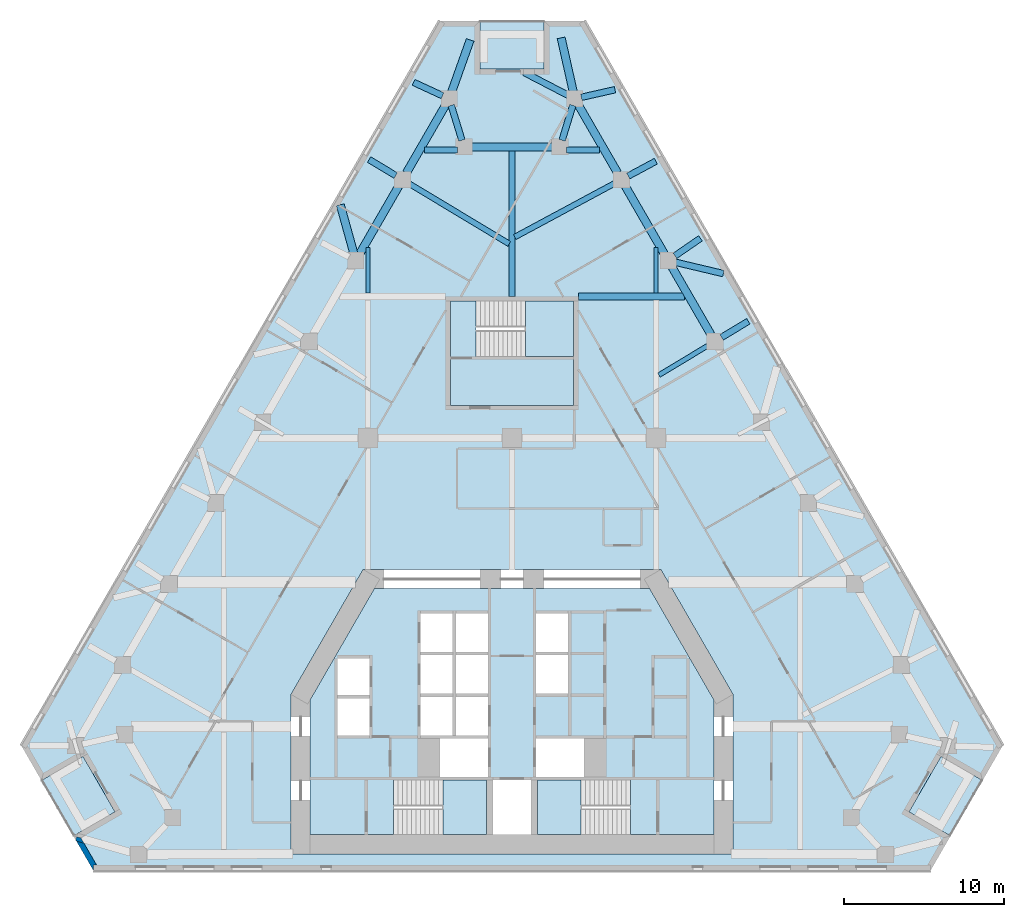
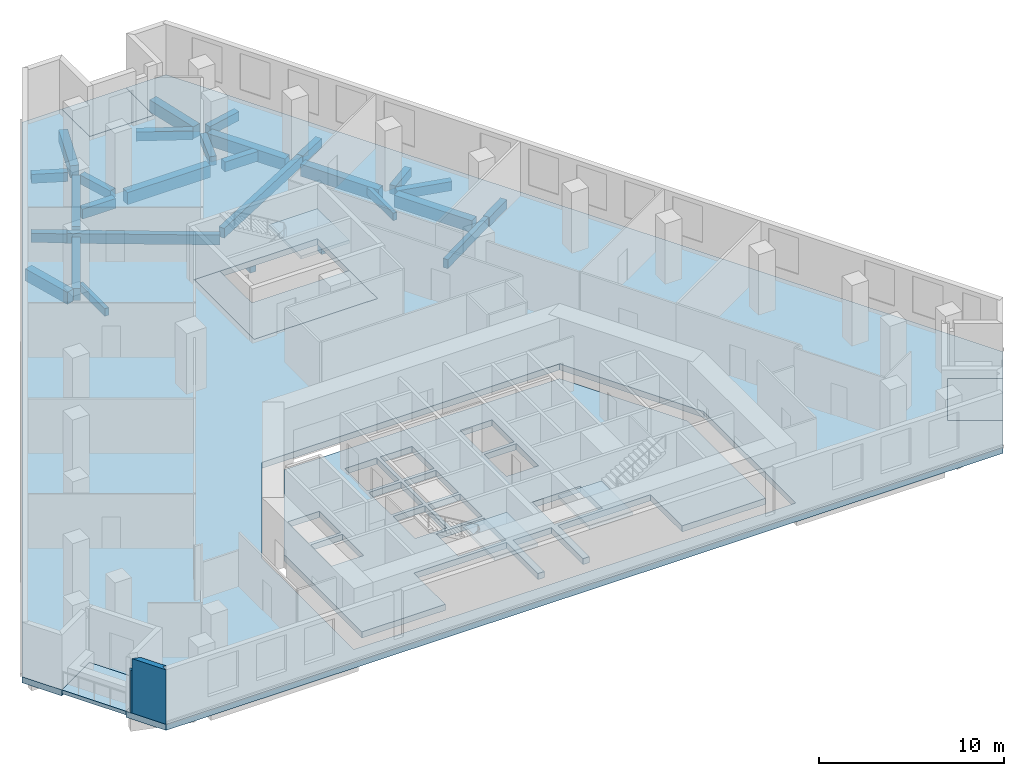
# One storey, part 2 of 9: 28 beams, 9 slabs, 2 walls, 3 elements without a shape of their own.
"""IFC4 building model written with IfcOpenShell, lengths in metres."""

from ifc_helpers import new_model, si_unit, direction, frame, origin, origin_2d, place, context, subcontext, project, spatial, polyline, rectangle, outline, extrude, material, layer, layer_set, material_profile, profile_set, type_object, element, aggregate, save


model = new_model("IFC4")

# Units and contexts
model_context = context("Model", 3, precision=1e-05, world=origin(), true_north=direction((0.0, 1.0)))
body_context = subcontext(model_context, "Body", "Model", "MODEL_VIEW")
ifc_project = project(units=[si_unit("LENGTHUNIT", "METRE"), si_unit("AREAUNIT", "SQUARE_METRE"), si_unit("VOLUMEUNIT", "CUBIC_METRE"), si_unit("PLANEANGLEUNIT", "RADIAN"), si_unit("MASSUNIT", "GRAM", prefix="KILO")], contexts=[model_context])

# Site, building, storey
site_placement = place(None, origin())
site = spatial("IfcSite", under=ifc_project, at=site_placement, CompositionType="ELEMENT")
building_placement = place(site_placement, origin())
building = spatial("IfcBuilding", under=site, at=building_placement, Name="Fogline Exchange Tower", CompositionType="ELEMENT")
storey_placement = place(building_placement, frame((0.0, 0.0, 96.10009765625)))
storey = spatial("IfcBuildingStorey", under=building, at=storey_placement, Name="L20", CompositionType="ELEMENT", Elevation=96.10009765625)

# Beams
ifc_material_1 = material(Name="Concrete C40", Category="concrete")
ifc_material_profile_1 = material_profile(ifc_material_1, rectangle(XDim=0.300048828125, YDim=0.60009765625, at=origin_2d()), Name="RC 300x600")
ifc_profile_set_1 = profile_set([ifc_material_profile_1], Name="Concrete C40")
beam_type_1 = type_object("IfcBeamType", Name="B06", PredefinedType="BEAM", material=ifc_profile_set_1)
beam_1_placement = place(storey_placement, frame((13.195068359375, 33.3623046875, -0.7001953125), z_axis=(-0.856403380279, -0.516307321513, 0.0), x_axis=(0.516307321513, -0.856403380279, 0.0)))
element("IfcBeam", 1, at=beam_1_placement, inside=storey, type_object=beam_type_1, Name="SK018", PredefinedType="BEAM", context=body_context, shape_type="SweptSolid", body=[
    extrude(rectangle(XDim=0.300048828125, YDim=0.60009765625, at=origin_2d()), origin(), (0.0, 0.0, 1.0), 4.694091796875),
])
ifc_material_profile_2 = material_profile(ifc_material_1, rectangle(XDim=0.25, YDim=0.5, at=origin_2d()), Name="RC 250x500")
ifc_profile_set_2 = profile_set([ifc_material_profile_2], Name="Concrete C40")
beam_type_2 = type_object("IfcBeamType", Name="B08", PredefinedType="BEAM", material=ifc_profile_set_2)
for number, where, z_axis, x_axis, name in (
    (2, (-9.0, 36.08203125, -0.650146484375), (0.0, 1.0, 0.0), (-1.0, 0.0, 0.0), "SB006"),
    (3, (9.0, 36.08203125, -0.650146484375), (0.0, 1.0, 0.0), (-1.0, 0.0, 0.0), "SB011"),
):
    element("IfcBeam", number, at=place(storey_placement, frame(where, z_axis=z_axis, x_axis=x_axis)), inside=storey, type_object=beam_type_2, Name=name, PredefinedType="BEAM", context=body_context, shape_type="SweptSolid", body=[
        extrude(rectangle(XDim=0.25, YDim=0.5, at=origin_2d()), origin(), (0.0, 0.0, 1.0), 2.8203125),
    ])
ifc_material_profile_3 = material_profile(ifc_material_1, rectangle(XDim=0.5, YDim=0.800048828125, at=origin_2d()), Name="RC 500x800")
ifc_profile_set_3 = profile_set([ifc_material_profile_3], Name="Concrete C40")
beam_type_3 = type_object("IfcBeamType", Name="B10", PredefinedType="BEAM", material=ifc_profile_set_3)
beam_2_placement = place(storey_placement, frame((12.427001953125, 33.466796875, -0.800048828125), z_axis=(-0.500008041581, 0.866020760926, 0.0), x_axis=(-0.866020760926, -0.500008041581, 0.0)))
element("IfcBeam", 4, at=beam_2_placement, inside=storey, type_object=beam_type_3, Name="RB014", PredefinedType="BEAM", context=body_context, shape_type="SweptSolid", body=[
    extrude(rectangle(XDim=0.5, YDim=0.800048828125, at=origin_2d()), origin(), (0.0, 0.0, 1.0), 4.859375),
])
for number, where, z_axis, x_axis, name in (
    (5, (9.510986328125, 38.51708984375, -0.800048828125), (-0.499970359091, 0.866042516295, 0.0), (-0.866042516295, -0.499970359091, 0.0), "RB015"),
    (6, (6.59521484375, 43.5673828125, -0.800048828125), (-0.499970359091, 0.866042516295, 0.0), (-0.866042516295, -0.499970359091, 0.0), "RB016"),
):
    element("IfcBeam", number, at=place(storey_placement, frame(where, z_axis=z_axis, x_axis=x_axis)), inside=storey, type_object=beam_type_3, Name=name, PredefinedType="BEAM", context=body_context, shape_type="SweptSolid", body=[
        extrude(rectangle(XDim=0.5, YDim=0.800048828125, at=origin_2d()), origin(), (0.0, 0.0, 1.0), 4.859130859375),
    ])
beam_3_placement = place(storey_placement, frame((2.594970703125, 45.19677734375, -0.800048828125), z_axis=(-1.0, 0.0, 0.0), x_axis=(0.0, -1.0, 0.0)))
element("IfcBeam", 7, at=beam_3_placement, inside=storey, type_object=beam_type_3, Name="RB018", PredefinedType="BEAM", context=body_context, shape_type="SweptSolid", body=[
    extrude(rectangle(XDim=0.5, YDim=0.800048828125, at=origin_2d()), origin(), (0.0, 0.0, 1.0), 5.18994140625),
])
for number, where, z_axis, x_axis, name in (
    (8, (-4.165771484375, 47.775634765625, -0.800048828125), (-0.499970359091, -0.866042516295, 0.0), (0.866042516295, -0.499970359091, 0.0), "RB020"),
    (9, (-7.08154296875, 42.725341796875, -0.800048828125), (-0.499970359091, -0.866042516295, 0.0), (0.866042516295, -0.499970359091, 0.0), "RB021"),
):
    element("IfcBeam", number, at=place(storey_placement, frame(where, z_axis=z_axis, x_axis=x_axis)), inside=storey, type_object=beam_type_3, Name=name, PredefinedType="BEAM", context=body_context, shape_type="SweptSolid", body=[
        extrude(rectangle(XDim=0.5, YDim=0.800048828125, at=origin_2d()), origin(), (0.0, 0.0, 1.0), 4.859130859375),
    ])
beam_4_placement = place(storey_placement, frame((-3.77587890625, 48.608642578125, -0.800048828125), z_axis=(0.335684205637, 0.941974582505, 0.0), x_axis=(-0.941974582505, 0.335684205637, 0.0)))
element("IfcBeam", 10, at=beam_4_placement, inside=storey, type_object=beam_type_3, Name="SP028", PredefinedType="BEAM", context=body_context, shape_type="SweptSolid", body=[
    extrude(rectangle(XDim=0.5, YDim=0.800048828125, at=origin_2d()), origin(), (0.0, 0.0, 1.0), 3.462646484375),
])
beam_5_placement = place(storey_placement, frame((3.831298828125, 48.6044921875, -0.800048828125), z_axis=(-0.218823104655, 0.975764545815, 0.0), x_axis=(-0.975764545815, -0.218823104655, 0.0)))
element("IfcBeam", 11, at=beam_5_placement, inside=storey, type_object=beam_type_3, Name="SP029", PredefinedType="BEAM", context=body_context, shape_type="SweptSolid", body=[
    extrude(rectangle(XDim=0.5, YDim=0.800048828125, at=origin_2d()), origin(), (0.0, 0.0, 1.0), 3.482177734375),
])
beam_6_placement = place(storey_placement, frame((-9.8681640625, 38.50537109375, -0.800048828125), z_axis=(-0.267865092627, 0.963456429815, 0.0), x_axis=(-0.963456429815, -0.267865092627, 0.0)))
element("IfcBeam", 12, at=beam_6_placement, inside=storey, type_object=beam_type_3, Name="SP056", PredefinedType="BEAM", context=body_context, shape_type="SweptSolid", body=[
    extrude(rectangle(XDim=0.5, YDim=0.800048828125, at=origin_2d()), origin(), (0.0, 0.0, 1.0), 3.187255859375),
])
ifc_material_profile_4 = material_profile(ifc_material_1, rectangle(XDim=0.39990234375, YDim=0.60009765625, at=origin_2d()), Name="RC 400x600")
ifc_profile_set_4 = profile_set([ifc_material_profile_4], Name="Concrete C40")
beam_type_4 = type_object("IfcBeamType", Name="B11", PredefinedType="BEAM", material=ifc_profile_set_4)
for number, where, z_axis, x_axis, name in (
    (13, (3.79638671875, 47.786376953125, -0.7001953125), (-0.293912792425, -0.9558322397, 0.0), (0.9558322397, -0.293912792425, 0.0), "RB017"),
    (14, (-3.126220703125, 45.60693359375, -0.7001953125), (-0.293912792425, 0.9558322397, 0.0), (-0.9558322397, -0.293912792425, 0.0), "RB019"),
):
    element("IfcBeam", number, at=place(storey_placement, frame(where, z_axis=z_axis, x_axis=x_axis)), inside=storey, type_object=beam_type_4, Name=name, PredefinedType="BEAM", context=body_context, shape_type="SweptSolid", body=[
        extrude(rectangle(XDim=0.39990234375, YDim=0.60009765625, at=origin_2d()), origin(), (0.0, 0.0, 1.0), 2.2802734375),
    ])
beam_7_placement = place(storey_placement, frame((3.504150390625, 48.4140625, -0.7001953125), z_axis=(-0.887487365709, 0.460832047179, 0.0), x_axis=(-0.460832047179, -0.887487365709, 0.0)))
element("IfcBeam", 15, at=beam_7_placement, inside=storey, type_object=beam_type_4, Name="SP034", PredefinedType="BEAM", context=body_context, shape_type="SweptSolid", body=[
    extrude(rectangle(XDim=0.39990234375, YDim=0.60009765625, at=origin_2d()), origin(), (0.0, 0.0, 1.0), 3.0859375),
])
beam_8_placement = place(storey_placement, frame((-7.260498046875, 43.400390625, -0.7001953125), z_axis=(-0.856760264747, 0.515714890953, 0.0), x_axis=(-0.515714890953, -0.856760264747, 0.0)))
element("IfcBeam", 16, at=beam_8_placement, inside=storey, type_object=beam_type_4, Name="SP038", PredefinedType="BEAM", context=body_context, shape_type="SweptSolid", body=[
    extrude(rectangle(XDim=0.39990234375, YDim=0.60009765625, at=origin_2d()), origin(), (0.0, 0.0, 1.0), 1.94287109375),
])
beam_9_placement = place(storey_placement, frame((13.09228515625, 33.30029296875, -0.7001953125), z_axis=(0.85640422403, 0.516305921972, 0.0), x_axis=(-0.516305921972, 0.85640422403, 0.0)))
element("IfcBeam", 17, at=beam_9_placement, inside=storey, type_object=beam_type_4, Name="SP039", PredefinedType="BEAM", context=body_context, shape_type="SweptSolid", body=[
    extrude(rectangle(XDim=0.39990234375, YDim=0.60009765625, at=origin_2d()), origin(), (0.0, 0.0, 1.0), 1.942626953125),
])
beam_10_placement = place(storey_placement, frame((7.2578125, 43.371826171875, -0.7001953125), z_axis=(0.880782843366, 0.473520414377, 0.0), x_axis=(-0.473520414377, 0.880782843366, 0.0)))
element("IfcBeam", 18, at=beam_10_placement, inside=storey, type_object=beam_type_4, Name="SP040", PredefinedType="BEAM", context=body_context, shape_type="SweptSolid", body=[
    extrude(rectangle(XDim=0.39990234375, YDim=0.60009765625, at=origin_2d()), origin(), (0.0, 0.0, 1.0), 1.960205078125),
])
beam_11_placement = place(storey_placement, frame((10.180419921875, 38.389404296875, -0.7001953125), z_axis=(0.823553636513, 0.567238404718, 0.0), x_axis=(-0.567238404718, 0.823553636513, 0.0)))
element("IfcBeam", 19, at=beam_11_placement, inside=storey, type_object=beam_type_4, Name="SP048", PredefinedType="BEAM", context=body_context, shape_type="SweptSolid", body=[
    extrude(rectangle(XDim=0.39990234375, YDim=0.60009765625, at=origin_2d()), origin(), (0.0, 0.0, 1.0), 1.927001953125),
])
beam_12_placement = place(storey_placement, frame((-4.338623046875, 48.388671875, -0.7001953125), z_axis=(-0.908095838529, 0.418762400468, 0.0), x_axis=(-0.418762400468, -0.908095838529, 0.0)))
element("IfcBeam", 20, at=beam_12_placement, inside=storey, type_object=beam_type_4, Name="SP049", PredefinedType="BEAM", context=body_context, shape_type="SweptSolid", body=[
    extrude(rectangle(XDim=0.39990234375, YDim=0.60009765625, at=origin_2d()), origin(), (0.0, 0.0, 1.0), 1.9892578125),
])
beam_13_placement = place(storey_placement, frame((10.16259765625, 37.9990234375, -0.7001953125), z_axis=(0.9729539382, -0.230999208095, 0.0), x_axis=(0.230999208095, 0.9729539382, 0.0)))
element("IfcBeam", 21, at=beam_13_placement, inside=storey, type_object=beam_type_4, Name="SP054", PredefinedType="BEAM", context=body_context, shape_type="SweptSolid", body=[
    extrude(rectangle(XDim=0.39990234375, YDim=0.60009765625, at=origin_2d()), origin(), (0.0, 0.0, 1.0), 3.11669921875),
])
beam_14_placement = place(storey_placement, frame((4.33056640625, 48.288818359375, -0.7001953125), z_axis=(0.975402518888, 0.220431227704, 0.0), x_axis=(-0.220431227704, 0.975402518888, 0.0)))
element("IfcBeam", 22, at=beam_14_placement, inside=storey, type_object=beam_type_4, Name="SP060", PredefinedType="BEAM", context=body_context, shape_type="SweptSolid", body=[
    extrude(rectangle(XDim=0.39990234375, YDim=0.60009765625, at=origin_2d()), origin(), (0.0, 0.0, 1.0), 2.1552734375),
])
ifc_material_profile_5 = material_profile(ifc_material_1, rectangle(XDim=0.39990234375, YDim=0.64990234375, at=origin_2d()), Name="RC 400x650")
ifc_profile_set_5 = profile_set([ifc_material_profile_5], Name="Concrete C40")
beam_type_5 = type_object("IfcBeamType", Name="B13", PredefinedType="BEAM", material=ifc_profile_set_5)
for number, where, z_axis, x_axis, name in (
    (23, (-5.4794921875, 45.0, -0.72509765625), (1.0, 0.0, 0.0), (0.0, 1.0, 0.0), "GB011"),
    (24, (3.405029296875, 45.0, -0.72509765625), (1.0, 0.0, 0.0), (0.0, 1.0, 0.0), "GB012"),
):
    element("IfcBeam", number, at=place(storey_placement, frame(where, z_axis=z_axis, x_axis=x_axis)), inside=storey, type_object=beam_type_5, Name=name, PredefinedType="BEAM", context=body_context, shape_type="SweptSolid", body=[
        extrude(rectangle(XDim=0.39990234375, YDim=0.64990234375, at=origin_2d()), origin(), (0.0, 0.0, 1.0), 2.074462890625),
    ])
ifc_material_profile_6 = material_profile(ifc_material_1, rectangle(XDim=0.35009765625, YDim=0.64990234375, at=origin_2d()), Name="RC 350x650")
ifc_profile_set_6 = profile_set([ifc_material_profile_6], Name="Concrete C40")
beam_type_6 = type_object("IfcBeamType", Name="B16", PredefinedType="BEAM", material=ifc_profile_set_6)
beam_15_placement = place(storey_placement, frame((0.0, 35.85693359375, -0.72509765625), z_axis=(0.0, 1.0, 0.0), x_axis=(-1.0, 0.0, 0.0)))
element("IfcBeam", 25, at=beam_15_placement, inside=storey, type_object=beam_type_6, Name="SB008", PredefinedType="BEAM", context=body_context, shape_type="SweptSolid", body=[
    extrude(rectangle(XDim=0.35009765625, YDim=0.64990234375, at=origin_2d()), origin(), (0.0, 0.0, 1.0), 9.08984375),
])
beam_16_placement = place(storey_placement, frame((-7.36328125, 43.46240234375, -0.72509765625), z_axis=(0.85674487674, -0.515740454279, 0.0), x_axis=(0.515740454279, 0.85674487674, 0.0)))
element("IfcBeam", 26, at=beam_16_placement, inside=storey, type_object=beam_type_6, Name="SK017", PredefinedType="BEAM", context=body_context, shape_type="SweptSolid", body=[
    extrude(rectangle(XDim=0.35009765625, YDim=0.64990234375, at=origin_2d()), origin(), (0.0, 0.0, 1.0), 8.39013671875),
])
beam_17_placement = place(storey_placement, frame((7.36328125, 43.4287109375, -0.72509765625), z_axis=(-0.880757180515, -0.47356814607, 0.0), x_axis=(0.47356814607, -0.880757180515, 0.0)))
element("IfcBeam", 27, at=beam_17_placement, inside=storey, type_object=beam_type_6, Name="SK019", PredefinedType="BEAM", context=body_context, shape_type="SweptSolid", body=[
    extrude(rectangle(XDim=0.35009765625, YDim=0.64990234375, at=origin_2d()), origin(), (0.0, 0.0, 1.0), 8.161376953125),
])
ifc_material_profile_7 = material_profile(ifc_material_1, rectangle(XDim=0.449951171875, YDim=0.800048828125, at=origin_2d()), Name="RC 450x800")
ifc_profile_set_7 = profile_set([ifc_material_profile_7], Name="Concrete C40")
beam_type_7 = type_object("IfcBeamType", Name="B18", PredefinedType="BEAM", material=ifc_profile_set_7)
beam_18_placement = place(storey_placement, frame((4.14990234375, 35.85693359375, -0.800048828125), z_axis=(1.0, 0.0, 0.0), x_axis=(0.0, 1.0, 0.0)))
element("IfcBeam", 28, at=beam_18_placement, inside=storey, type_object=beam_type_7, Name="GB010", PredefinedType="BEAM", context=body_context, shape_type="SweptSolid", body=[
    extrude(rectangle(XDim=0.449951171875, YDim=0.800048828125, at=origin_2d()), origin(), (0.0, 0.0, 1.0), 6.6083984375),
])

# Slabs
ifc_layer_1 = layer(ifc_material_1, 0.25)
ifc_layer_set_1 = layer_set([ifc_layer_1], Name="DK1")
slab_type_1 = type_object("IfcSlabType", Name="DK1", PredefinedType="FLOOR", material=ifc_layer_set_1)
slab_1_placement = place(storey_placement, frame((0.0, 0.0, -0.25)))
element("IfcSlab", 29, at=slab_1_placement, inside=storey, type_object=slab_type_1, Name="Balcony L20 SW", PredefinedType="FLOOR", context=body_context, shape_type="SweptSolid", body=[
    extrude(outline(polyline([(-29.387939453125, 5.629150390625), (-27.387939453125, 2.1650390625), (-24.7900390625, 3.6650390625), (-26.7900390625, 7.129150390625), (-29.387939453125, 5.629150390625)])), origin(), (0.0, 0.0, 1.0), 0.25),
])
slab_2_placement = place(storey_placement, frame((0.0, 0.0, -0.25)))
element("IfcSlab", 30, at=slab_2_placement, inside=storey, type_object=slab_type_1, Name="Balcony L20 SE", PredefinedType="FLOOR", context=body_context, shape_type="SweptSolid", body=[
    extrude(outline(polyline([(27.387939453125, 2.1650390625), (29.387939453125, 5.629150390625), (26.7900390625, 7.129150390625), (24.7900390625, 3.6650390625), (27.387939453125, 2.1650390625)])), origin(), (0.0, 0.0, 1.0), 0.25),
])
slab_3_placement = place(storey_placement, frame((0.0, 0.0, -0.25)))
element("IfcSlab", 31, at=slab_3_placement, inside=storey, type_object=slab_type_1, Name="Balcony L20 N", PredefinedType="FLOOR", context=body_context, shape_type="SweptSolid", body=[
    extrude(outline(polyline([(2.0, 53.066650390625), (-2.0, 53.066650390625), (-2.0, 50.066650390625), (2.0, 50.066650390625), (2.0, 53.066650390625)])), origin(), (0.0, 0.0, 1.0), 0.25),
])
ifc_layer_2 = layer(ifc_material_1, 0.39990234375)
ifc_layer_set_2 = layer_set([ifc_layer_2], Name="S03")
slab_type_2 = type_object("IfcSlabType", Name="S03", PredefinedType="FLOOR", material=ifc_layer_set_2)
slab_4_placement = place(storey_placement, frame((0.0, 0.0, -0.400146484375)))
element("IfcSlab", 32, at=slab_4_placement, inside=storey, type_object=slab_type_2, Name="SLAB L20", PredefinedType="FLOOR", context=body_context, shape_type="SweptSolid", body=[
    extrude(outline(polyline([(-2.0, 53.066650390625), (-4.5, 53.066650390625), (-30.637939453125, 7.794189453125), (-29.387939453125, 5.629150390625), (-26.7900390625, 7.129150390625), (-24.7900390625, 3.6650390625), (-27.387939453125, 2.1650390625), (-26.137939453125, 0.0), (26.137939453125, 0.0), (27.387939453125, 2.1650390625), (24.7900390625, 3.6650390625), (26.7900390625, 7.129150390625), (29.387939453125, 5.629150390625), (30.637939453125, 7.794189453125), (4.5, 53.066650390625), (2.0, 53.066650390625), (2.0, 50.066650390625), (-2.0, 50.066650390625), (-2.0, 53.066650390625)]), holes=[polyline([(13.800048828125, 10.9990234375), (13.800048828125, 1.050048828125), (-13.800048828125, 1.050048828125), (-13.800048828125, 10.9990234375), (-9.296142578125, 18.800048828125), (9.296142578125, 18.800048828125), (13.800048828125, 10.9990234375)]), polyline([(3.85009765625, 35.556884765625), (3.85009765625, 29.056884765625), (-3.85009765625, 29.056884765625), (-3.85009765625, 35.556884765625), (3.85009765625, 35.556884765625)])]), origin(), (0.0, 0.0, 1.0), 0.400146484375),
])
slab_5_placement = place(storey_placement, frame((0.0, 0.0, -0.400146484375)))
element("IfcSlab", 33, at=slab_5_placement, inside=storey, type_object=slab_type_2, Name="Core floor slab", PredefinedType="FLOOR", context=body_context, shape_type="SweptSolid", body=[
    extrude(outline(polyline([(-12.60009765625, 2.25), (-12.60009765625, 10.677490234375), (-8.603271484375, 17.60009765625), (8.603271484375, 17.60009765625), (12.60009765625, 10.677490234375), (12.60009765625, 2.25), (7.389892578125, 2.25), (7.389892578125, 5.64990234375), (1.60009765625, 5.64990234375), (1.60009765625, 2.25), (1.199951171875, 2.25), (1.199951171875, 5.64990234375), (-1.199951171875, 5.64990234375), (-1.199951171875, 2.25), (-1.60009765625, 2.25), (-1.60009765625, 5.64990234375), (-7.389892578125, 5.64990234375), (-7.389892578125, 2.25), (-12.60009765625, 2.25)]), holes=[polyline([(-1.5, 8.25), (-4.5, 8.25), (-4.5, 5.85009765625), (-1.5, 5.85009765625), (-1.5, 8.25)]), polyline([(-8.89990234375, 10.75), (-10.89990234375, 10.75), (-10.89990234375, 8.449951171875), (-8.89990234375, 8.449951171875), (-8.89990234375, 10.75)]), polyline([(-3.699951171875, 10.85009765625), (-5.699951171875, 10.85009765625), (-5.699951171875, 8.449951171875), (-3.699951171875, 8.449951171875), (-3.699951171875, 10.85009765625)]), polyline([(-1.5, 10.85009765625), (-3.5, 10.85009765625), (-3.5, 8.449951171875), (-1.5, 8.449951171875), (-1.5, 10.85009765625)]), polyline([(-8.89990234375, 13.25), (-10.89990234375, 13.25), (-10.89990234375, 10.949951171875), (-8.89990234375, 10.949951171875), (-8.89990234375, 13.25)]), polyline([(-3.699951171875, 13.449951171875), (-5.699951171875, 13.449951171875), (-5.699951171875, 11.050048828125), (-3.699951171875, 11.050048828125), (-3.699951171875, 13.449951171875)]), polyline([(-3.699951171875, 16.050048828125), (-5.699951171875, 16.050048828125), (-5.699951171875, 13.64990234375), (-3.699951171875, 13.64990234375), (-3.699951171875, 16.050048828125)]), polyline([(4.5, 8.25), (1.5, 8.25), (1.5, 5.85009765625), (4.5, 5.85009765625), (4.5, 8.25)]), polyline([(-1.5, 13.449951171875), (-3.5, 13.449951171875), (-3.5, 11.050048828125), (-1.5, 11.050048828125), (-1.5, 13.449951171875)]), polyline([(3.5, 13.449951171875), (1.5, 13.449951171875), (1.5, 11.050048828125), (3.5, 11.050048828125), (3.5, 13.449951171875)]), polyline([(-1.5, 16.050048828125), (-3.5, 16.050048828125), (-3.5, 13.64990234375), (-1.5, 13.64990234375), (-1.5, 16.050048828125)]), polyline([(3.5, 16.050048828125), (1.5, 16.050048828125), (1.5, 13.64990234375), (3.5, 13.64990234375), (3.5, 16.050048828125)])]), origin(), (0.0, 0.0, 1.0), 0.400146484375),
])
slab_6_placement = place(storey_placement, frame((0.0, 0.0, -0.400146484375)))
element("IfcSlab", 34, at=slab_6_placement, inside=storey, type_object=slab_type_2, Name="Stair enclosure floor slab", PredefinedType="FLOOR", context=body_context, shape_type="SweptSolid", body=[
    extrude(outline(polyline([(3.85009765625, 29.056884765625), (-3.85009765625, 29.056884765625), (-3.85009765625, 35.556884765625), (-2.239990234375, 35.556884765625), (-2.239990234375, 32.10693359375), (3.85009765625, 32.10693359375), (3.85009765625, 29.056884765625)])), origin(), (0.0, 0.0, 1.0), 0.400146484375),
])

# Stair, slab
stair_type = type_object("IfcStairType", Name="STR24-1667", PredefinedType="HALF_TURN_STAIR", material=ifc_material_1)
stair_1_placement = place(storey_placement, origin())
stair_1 = element("IfcStair", 35, at=stair_1_placement, inside=storey, type_object=stair_type, Name="Stair ST1", PredefinedType="HALF_TURN_STAIR")
ifc_layer_3 = layer(ifc_material_1, 0.199951171875)
ifc_layer_set_3 = layer_set([ifc_layer_3], Name="SL200")
slab_type_3 = type_object("IfcSlabType", Name="SL200", PredefinedType="LANDING", material=ifc_layer_set_3)
slab_7_placement = place(storey_placement, frame((0.0, 0.0, 1.7998046875)))
slab_7 = element("IfcSlab", 36, at=slab_7_placement, type_object=slab_type_3, Name="ST1 landing 1", PredefinedType="LANDING", context=body_context, shape_type="SweptSolid", body=[
    extrude(outline(polyline([(-4.320068359375, 2.25), (-1.60009765625, 2.25), (-1.60009765625, 5.64990234375), (-4.320068359375, 5.64990234375), (-4.320068359375, 2.25)])), origin(), (0.0, 0.0, 1.0), 0.2001953125),
])
aggregate(stair_1, [slab_7])

stair_2_placement = place(storey_placement, origin())
stair_2 = element("IfcStair", 37, at=stair_2_placement, inside=storey, type_object=stair_type, Name="Stair ST2", PredefinedType="HALF_TURN_STAIR")
slab_8_placement = place(storey_placement, frame((0.0, 0.0, 1.7998046875)))
slab_8 = element("IfcSlab", 38, at=slab_8_placement, type_object=slab_type_3, Name="ST2 landing 1", PredefinedType="LANDING", context=body_context, shape_type="SweptSolid", body=[
    extrude(outline(polyline([(1.60009765625, 2.25), (4.320068359375, 2.25), (4.320068359375, 5.64990234375), (1.60009765625, 5.64990234375), (1.60009765625, 2.25)])), origin(), (0.0, 0.0, 1.0), 0.2001953125),
])
aggregate(stair_2, [slab_8])

stair_3_placement = place(storey_placement, origin())
stair_3 = element("IfcStair", 39, at=stair_3_placement, inside=storey, type_object=stair_type, Name="Stair ST3", PredefinedType="HALF_TURN_STAIR")
slab_9_placement = place(storey_placement, frame((0.0, 0.0, 1.7998046875)))
slab_9 = element("IfcSlab", 40, at=slab_9_placement, type_object=slab_type_3, Name="ST3 landing 1", PredefinedType="LANDING", context=body_context, shape_type="SweptSolid", body=[
    extrude(outline(polyline([(0.830078125, 32.10693359375), (3.85009765625, 32.10693359375), (3.85009765625, 35.556884765625), (0.830078125, 35.556884765625), (0.830078125, 32.10693359375)])), origin(), (0.0, 0.0, 1.0), 0.2001953125),
])
aggregate(stair_3, [slab_9])

# Walls
ifc_material_2 = material(Name="Brick masonry", Category="masonry")
ifc_layer_4 = layer(ifc_material_2, 0.340087890625)
ifc_layer_set_4 = layer_set([ifc_layer_4], Name="FW1")
wall_type = type_object("IfcWallType", Name="FW1", PredefinedType="SOLIDWALL", material=ifc_layer_set_4)
wall_1_placement = place(storey_placement, origin())
element("IfcWall", 41, at=wall_1_placement, inside=storey, type_object=wall_type, Name="Brick wall L20 SW-c2", PredefinedType="SOLIDWALL", context=body_context, shape_type="SweptSolid", body=[
    extrude(outline(polyline([(-27.248291015625, 1.921875), (-27.194091796875, 2.11376953125), (-26.923095703125, 2.041015625), (-26.728271484375, 1.70361328125), (-27.19921875, 1.8369140625), (-27.248291015625, 1.921875)])), origin(), (0.0, 0.0, 1.0), 2.7998046875),
])
wall_2_placement = place(storey_placement, origin())
element("IfcWall", 42, at=wall_2_placement, inside=storey, type_object=wall_type, Name="Brick wall L20 SW-c2", PredefinedType="SOLIDWALL", context=body_context, shape_type="SweptSolid", body=[
    extrude(outline(polyline([(-26.137451171875, 0.33935546875), (-26.137451171875, -0.0009765625), (-26.137939453125, -0.001220703125), (-27.19921875, 1.8369140625), (-26.728271484375, 1.70361328125), (-25.940673828125, 0.33935546875), (-26.137451171875, 0.33935546875)])), origin(), (0.0, 0.0, 1.0), 3.599853515625),
])

save(model, "model.ifc")
